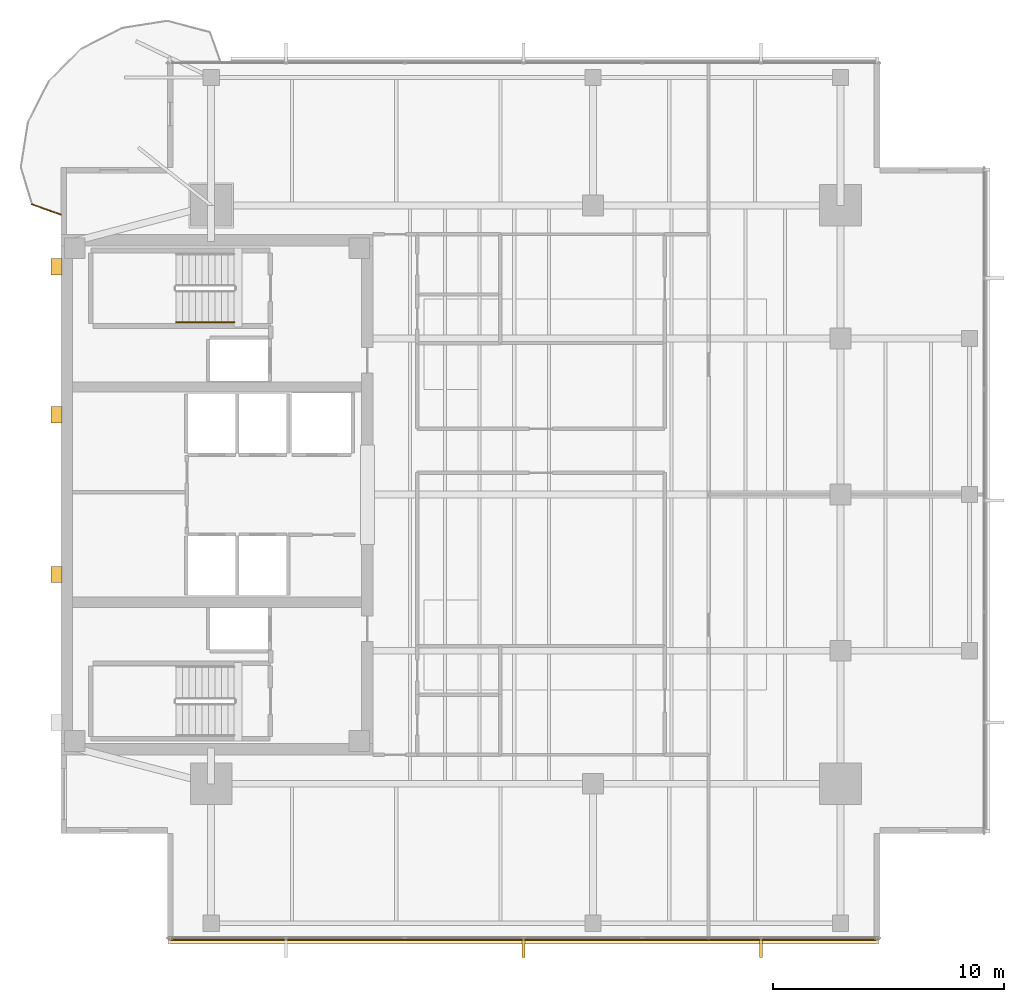
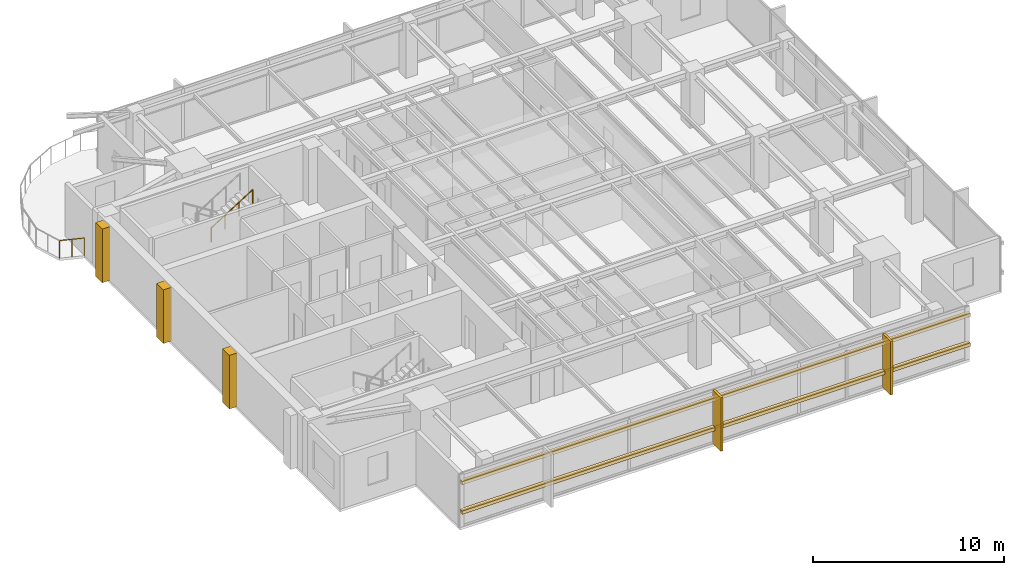
# One storey, part 12 of 14: 7 coverings, 2 railings, 2 shading devices.
"""IFC4 building model written with IfcOpenShell, lengths in metres."""

from ifc_helpers import new_model, si_unit, direction, frame, origin, origin_2d, place, context, subcontext, project, spatial, polyline, rectangle, circle, outline, extrude, material, layer, layer_set, material_profile, profile_set, type_object, element, save


model = new_model("IFC4")

# Units and contexts
model_context = context("Model", 3, precision=1e-05, world=origin(), true_north=direction((0.0, 1.0)))
body_context = subcontext(model_context, "Body", "Model", "MODEL_VIEW")
ifc_project = project(units=[si_unit("LENGTHUNIT", "METRE"), si_unit("AREAUNIT", "SQUARE_METRE"), si_unit("VOLUMEUNIT", "CUBIC_METRE"), si_unit("PLANEANGLEUNIT", "RADIAN"), si_unit("MASSUNIT", "GRAM", prefix="KILO")], contexts=[model_context])

# Site, building, storey
site_placement = place(None, origin())
site = spatial("IfcSite", under=ifc_project, at=site_placement, CompositionType="ELEMENT")
building_placement = place(site_placement, origin())
building = spatial("IfcBuilding", under=site, at=building_placement, Name="Kinhvarn Gate Tower", CompositionType="ELEMENT")
storey_placement = place(building_placement, frame((0.0, 0.0, 263.449951171875)))
storey = spatial("IfcBuildingStorey", under=building, at=storey_placement, Name="L70", CompositionType="ELEMENT", Elevation=263.449951171875)

# Coverings
ifc_material_1 = material(Name="Fired architectural terracotta", Category="masonry")
ifc_layer_1 = layer(ifc_material_1, 0.239990234375)
ifc_layer_set_1 = layer_set([ifc_layer_1], Name="Fired architectural terracotta")
covering_type_1 = type_object("IfcCoveringType", Name="COV-BAG-220", PredefinedType="CLADDING", material=ifc_layer_set_1)
covering_1_placement = place(storey_placement, frame((0.0, 0.0, 0.93994140625)))
element("IfcCovering", 1, at=covering_1_placement, inside=storey, type_object=covering_type_1, Name="Terracotta Horizontal Sunscreen Band TBG-220 (L70)", PredefinedType="CLADDING", context=body_context, shape_type="SweptSolid", body=[
    extrude(outline(polyline([(9.139892578125, 6.070068359375), (39.860107421875, 6.070068359375), (39.860107421875, 5.830078125), (9.139892578125, 5.830078125), (9.139892578125, 6.070068359375)])), origin(), (0.0, 0.0, 1.0), 0.22021484375),
])
covering_2_placement = place(storey_placement, frame((0.0, 0.0, 2.830078125)))
element("IfcCovering", 2, at=covering_2_placement, inside=storey, type_object=covering_type_1, Name="Terracotta Horizontal Sunscreen Band TBG-220 (L70)", PredefinedType="CLADDING", context=body_context, shape_type="SweptSolid", body=[
    extrude(outline(polyline([(9.139892578125, 6.070068359375), (39.860107421875, 6.070068359375), (39.860107421875, 5.830078125), (9.139892578125, 5.830078125), (9.139892578125, 6.070068359375)])), origin(), (0.0, 0.0, 1.0), 0.219970703125),
])
ifc_layer_2 = layer(ifc_material_1, 0.139892578125)
ifc_layer_set_2 = layer_set([ifc_layer_2], Name="Fired architectural terracotta")
covering_type_2 = type_object("IfcCoveringType", Name="COV-FIN-850", PredefinedType="CLADDING", material=ifc_layer_set_2)
covering_3_placement = place(storey_placement, frame((0.0, 0.0, -0.02001953125)))
element("IfcCovering", 3, at=covering_3_placement, inside=storey, type_object=covering_type_2, Name="Vertical Terracotta Expressive Fin TFN-850 (L70)", PredefinedType="CLADDING", context=body_context, shape_type="SweptSolid", body=[
    extrude(outline(polyline([(24.429931640625, 6.080078125), (24.570068359375, 6.080078125), (24.570068359375, 5.22998046875), (24.429931640625, 5.22998046875), (24.429931640625, 6.080078125)])), origin(), (0.0, 0.0, 1.0), 3.43017578125),
])
covering_4_placement = place(storey_placement, frame((0.0, 0.0, -0.02001953125)))
element("IfcCovering", 4, at=covering_4_placement, inside=storey, type_object=covering_type_2, Name="Vertical Terracotta Expressive Fin TFN-850 (L70)", PredefinedType="CLADDING", context=body_context, shape_type="SweptSolid", body=[
    extrude(outline(polyline([(34.69677734375, 6.080078125), (34.836669921875, 6.080078125), (34.836669921875, 5.22998046875), (34.69677734375, 5.22998046875), (34.69677734375, 6.080078125)])), origin(), (0.0, 0.0, 1.0), 3.43017578125),
])
ifc_material_2 = material(Name="Precast white architectural concrete C40/50", Category="concrete")
ifc_layer_3 = layer(ifc_material_2, 0.47998046875)
ifc_layer_set_3 = layer_set([ifc_layer_3], Name="Precast white architectural concrete C40/50")
covering_type_3 = type_object("IfcCoveringType", Name="COV-RIB-450", PredefinedType="CLADDING", material=ifc_layer_set_3)
covering_5_placement = place(storey_placement, frame((0.0, 0.0, -0.02001953125)))
element("IfcCovering", 5, at=covering_5_placement, inside=storey, type_object=covering_type_3, Name="West Core Sculptural Concrete Relief Rib CRB-450 (L70)", PredefinedType="CLADDING", context=body_context, shape_type="SweptSolid", body=[
    extrude(outline(polyline([(4.080078125, 21.449951171875), (4.56005859375, 21.449951171875), (4.56005859375, 22.14990234375), (4.080078125, 22.14990234375), (4.080078125, 21.449951171875)])), origin(), (0.0, 0.0, 1.0), 3.43017578125),
])
covering_6_placement = place(storey_placement, frame((0.0, 0.0, -0.02001953125)))
element("IfcCovering", 6, at=covering_6_placement, inside=storey, type_object=covering_type_3, Name="West Core Sculptural Concrete Relief Rib CRB-450 (L70)", PredefinedType="CLADDING", context=body_context, shape_type="SweptSolid", body=[
    extrude(outline(polyline([(4.080078125, 28.35009765625), (4.56005859375, 28.35009765625), (4.56005859375, 29.050048828125), (4.080078125, 29.050048828125), (4.080078125, 28.35009765625)])), origin(), (0.0, 0.0, 1.0), 3.43017578125),
])
covering_7_placement = place(storey_placement, frame((0.0, 0.0, -0.02001953125)))
element("IfcCovering", 7, at=covering_7_placement, inside=storey, type_object=covering_type_3, Name="West Core Sculptural Concrete Relief Rib CRB-450 (L70)", PredefinedType="CLADDING", context=body_context, shape_type="SweptSolid", body=[
    extrude(outline(polyline([(4.080078125, 34.75), (4.56005859375, 34.75), (4.56005859375, 35.449951171875), (4.080078125, 35.449951171875), (4.080078125, 34.75)])), origin(), (0.0, 0.0, 1.0), 3.43017578125),
])

# Railings
ifc_material_3 = material(Name="Clear low-e double glazing", Category="glass")
railing_type_1 = type_object("IfcRailingType", Name="RL-BAL-1150", PredefinedType="BALUSTRADE", material=ifc_material_3)
railing_1_placement = place(storey_placement, frame((3.245849609375, 37.799072265625, 0.0)))
element("IfcRailing", 8, at=railing_1_placement, inside=storey, type_object=railing_type_1, Name="S-Carve Balcony Guardrail Seg 9 (L70)", PredefinedType="BALUSTRADE", context=body_context, shape_type="SweptSolid", body=[
    extrude(circle(Radius=0.02392578125, at=origin_2d()), frame((0.0, 0.0, 1.1259765625), z_axis=(0.94125591004, -0.337694109831, 0.0), x_axis=(0.337694109831, 0.94125591004, 0.0)), (0.0, 0.0, 1.0), 1.33251953125),
    extrude(circle(Radius=0.02099609375, at=origin_2d()), origin(), (0.0, 0.0, 1.0), 1.101806640625),
    extrude(circle(Radius=0.02099609375, at=origin_2d()), frame((0.626953125, -0.22509765625, 0.0)), (0.0, 0.0, 1.0), 1.101806640625),
    extrude(circle(Radius=0.02099609375, at=origin_2d()), frame((1.254150390625, -0.449951171875, 0.0)), (0.0, 0.0, 1.0), 1.101806640625),
])
ifc_material_4 = material(Name="Steel S355", Category="steel")
railing_type_2 = type_object("IfcRailingType", Name="RL-ST-HND", PredefinedType="HANDRAIL", material=ifc_material_4)
railing_2_placement = place(storey_placement, frame((9.47998046875, 32.699951171875, 1.95263671875)))
element("IfcRailing", 9, at=railing_2_placement, inside=storey, type_object=railing_type_2, Name="L70 ST2 stair handrail 2", PredefinedType="HANDRAIL", context=body_context, shape_type="SweptSolid", body=[
    extrude(circle(Radius=0.02392578125, at=origin_2d()), frame((0.0, 0.0, 0.8759765625), z_axis=(0.84460694969, 0.0, 0.535386869969), x_axis=(0.0, 1.0, 0.0)), (0.0, 0.0, 1.0), 2.983642578125),
    extrude(circle(Radius=0.02099609375, at=origin_2d()), origin(), (0.0, 0.0, 1.0), 0.851806640625),
    extrude(circle(Radius=0.02099609375, at=origin_2d()), frame((0.840087890625, 0.0, 0.532470703125)), (0.0, 0.0, 1.0), 0.851806640625),
    extrude(circle(Radius=0.02099609375, at=origin_2d()), frame((1.679931640625, 0.0, 1.06494140625)), (0.0, 0.0, 1.0), 0.851806640625),
    extrude(circle(Radius=0.02099609375, at=origin_2d()), frame((2.52001953125, 0.0, 1.597412109375)), (0.0, 0.0, 1.0), 0.851806640625),
])

# Shading devices
ifc_material_profile = material_profile(ifc_material_1, rectangle(XDim=0.050048828125, YDim=0.1201171875, at=origin_2d()), Name="TC 50x120")
ifc_profile_set = profile_set([ifc_material_profile], Name="Fired architectural terracotta")
shading_device_type = type_object("IfcShadingDeviceType", Name="SHD-BAG-140", PredefinedType="USERDEFINED", material=ifc_profile_set)
for number, where, z_axis, x_axis, name in (
    (10, (9.139892578125, 6.0, 1.050048828125), (1.0, 0.0, 0.0), (0.0, 1.0, 0.0), "Upper Tower Terracotta Baguette Screen Rod 50x120 mm (L70)"),
    (11, (9.139892578125, 6.0, 2.93994140625), (1.0, 0.0, 0.0), (0.0, 1.0, 0.0), "Upper Tower Terracotta Baguette Screen Rod 50x120 mm (L70)"),
):
    element("IfcShadingDevice", number, at=place(storey_placement, frame(where, z_axis=z_axis, x_axis=x_axis)), inside=storey, type_object=shading_device_type, Name=name, ObjectType="BAGUETTE", PredefinedType="USERDEFINED", context=body_context, shape_type="SweptSolid", body=[
        extrude(rectangle(XDim=0.050048828125, YDim=0.1201171875, at=origin_2d()), origin(), (0.0, 0.0, 1.0), 30.72021484375),
    ])

save(model, "model.ifc")
